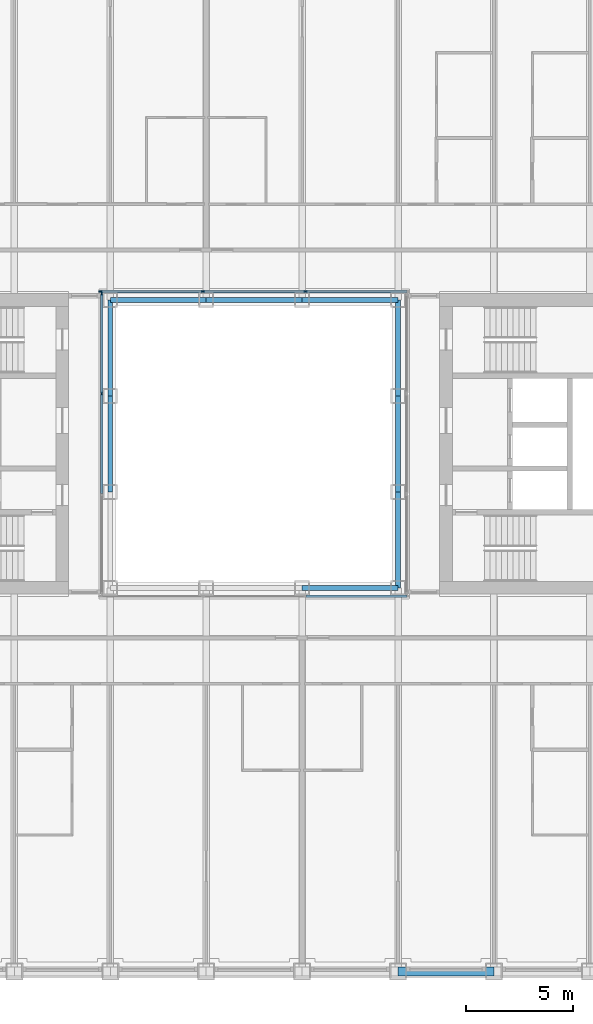
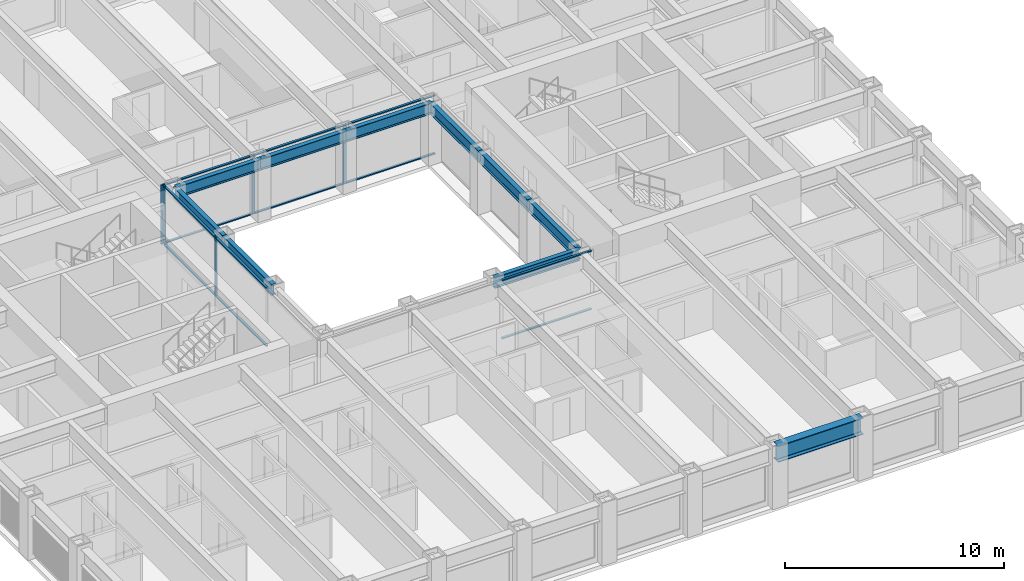
# One storey, part 4 of 21: 17 members, 10 beams, 3 elements without a shape of their own.
"""IFC4 building model written with IfcOpenShell, lengths in metres."""

from ifc_helpers import new_model, si_unit, direction, frame, origin, origin_2d, place, context, subcontext, project, spatial, rectangle, i_section, extrude, material, material_profile, profile_set, type_object, element, aggregate, save


model = new_model("IFC4")

# Units and contexts
model_context = context("Model", 3, precision=1e-05, world=origin(), true_north=direction((0.0, 1.0)))
body_context = subcontext(model_context, "Body", "Model", "MODEL_VIEW")
ifc_project = project(units=[si_unit("LENGTHUNIT", "METRE"), si_unit("AREAUNIT", "SQUARE_METRE"), si_unit("VOLUMEUNIT", "CUBIC_METRE"), si_unit("PLANEANGLEUNIT", "RADIAN"), si_unit("MASSUNIT", "GRAM", prefix="KILO")], contexts=[model_context])

# Site, building, storey
site_placement = place(None, origin())
site = spatial("IfcSite", under=ifc_project, at=site_placement, CompositionType="ELEMENT")
building_placement = place(site_placement, origin())
building = spatial("IfcBuilding", under=site, at=building_placement, Name="Msasa Ring Tower", CompositionType="ELEMENT")
storey_placement = place(building_placement, frame((0.0, 0.0, 79.0)))
storey = spatial("IfcBuildingStorey", under=building, at=storey_placement, Name="L20", CompositionType="ELEMENT", Elevation=79.0)

# Curtain wall, members
ifc_material_1 = material(Name="Aluminium curtain wall with clear glass", Category="aluminium")
curtain_wall_type = type_object("IfcCurtainWallType", Name="CW-W LIGHT WELL CURTAIN WALL", PredefinedType="NOTDEFINED", material=ifc_material_1)
curtain_wall_1_placement = place(storey_placement, origin())
curtain_wall_1 = element("IfcCurtainWall", 1, at=curtain_wall_1_placement, inside=storey, type_object=curtain_wall_type, Name="Light well curtain wall N L20", PredefinedType="NOTDEFINED")
ifc_material_2 = material(Name="Aluminium mullion", Category="aluminium")
ifc_material_profile_1 = material_profile(ifc_material_2, rectangle(XDim=0.06005859375, YDim=0.159912109375, at=origin_2d()), Name="AL 60x160")
ifc_profile_set_1 = profile_set([ifc_material_profile_1], Name="Aluminium mullion")
member_type_1 = type_object("IfcMemberType", Name="CW-W MULLION 60x160", PredefinedType="MULLION", material=ifc_profile_set_1)
member_1_placement = place(storey_placement, frame((-7.199951171875, 7.14990234375, 0.0), z_axis=(0.0, 0.0, 1.0), x_axis=(0.0, 1.0, 0.0)))
member_1 = element("IfcMember", 2, at=member_1_placement, type_object=member_type_1, Name="CW-W mullion 1", PredefinedType="MULLION", context=body_context, shape_type="SweptSolid", body=[
    extrude(rectangle(XDim=0.06005859375, YDim=0.159912109375, at=origin_2d()), origin(), (0.0, 0.0, 1.0), 3.300048828125),
])
member_2_placement = place(storey_placement, frame((-2.409912109375, 7.14990234375, 0.0), z_axis=(0.0, 0.0, 1.0), x_axis=(0.0, 1.0, 0.0)))
member_2 = element("IfcMember", 3, at=member_2_placement, type_object=member_type_1, Name="CW-W mullion 2", PredefinedType="MULLION", context=body_context, shape_type="SweptSolid", body=[
    extrude(rectangle(XDim=0.06005859375, YDim=0.159912109375, at=origin_2d()), origin(), (0.0, 0.0, 1.0), 3.300048828125),
])
member_3_placement = place(storey_placement, frame((2.409912109375, 7.14990234375, 0.0), z_axis=(0.0, 0.0, 1.0), x_axis=(0.0, 1.0, 0.0)))
member_3 = element("IfcMember", 4, at=member_3_placement, type_object=member_type_1, Name="CW-W mullion 3", PredefinedType="MULLION", context=body_context, shape_type="SweptSolid", body=[
    extrude(rectangle(XDim=0.06005859375, YDim=0.159912109375, at=origin_2d()), origin(), (0.0, 0.0, 1.0), 3.300048828125),
])

curtain_wall_2_placement = place(storey_placement, origin())
curtain_wall_2 = element("IfcCurtainWall", 5, at=curtain_wall_2_placement, inside=storey, type_object=curtain_wall_type, Name="Light well curtain wall W L20", PredefinedType="NOTDEFINED")
member_4_placement = place(storey_placement, frame((-7.14990234375, 2.356689453125, 0.0), z_axis=(0.0, 0.0, 1.0), x_axis=(-1.0, 0.0, 0.0)))
member_4 = element("IfcMember", 6, at=member_4_placement, type_object=member_type_1, Name="CW-W mullion 3", PredefinedType="MULLION", context=body_context, shape_type="SweptSolid", body=[
    extrude(rectangle(XDim=0.06005859375, YDim=0.159912109375, at=origin_2d()), origin(), (0.0, 0.0, 1.0), 3.300048828125),
])
member_5_placement = place(storey_placement, frame((-7.14990234375, 7.0400390625, 0.0), z_axis=(0.0, 0.0, 1.0), x_axis=(-1.0, 0.0, 0.0)))
member_5 = element("IfcMember", 7, at=member_5_placement, type_object=member_type_1, Name="CW-W mullion 4", PredefinedType="MULLION", context=body_context, shape_type="SweptSolid", body=[
    extrude(rectangle(XDim=0.06005859375, YDim=0.159912109375, at=origin_2d()), origin(), (0.0, 0.0, 1.0), 3.300048828125),
])

# Member
ifc_material_3 = material(Name="Aluminium transom", Category="aluminium")
ifc_material_profile_2 = material_profile(ifc_material_3, rectangle(XDim=0.1201171875, YDim=0.06005859375, at=origin_2d()), Name="AL 60x120")
ifc_profile_set_2 = profile_set([ifc_material_profile_2], Name="Aluminium transom")
member_type_2 = type_object("IfcMemberType", Name="CW-W TRANSOM 60x120", PredefinedType="USERDEFINED", material=ifc_profile_set_2)
member_6_placement = place(storey_placement, frame((-7.169921875, 7.14990234375, 0.030029296875), z_axis=(1.0, 0.0, 0.0), x_axis=(0.0, 1.0, 0.0)))
member_6 = element("IfcMember", 8, at=member_6_placement, type_object=member_type_2, Name="CW-W transom 1.1", ObjectType="TRANSOM", PredefinedType="USERDEFINED", context=body_context, shape_type="SweptSolid", body=[
    extrude(rectangle(XDim=0.1201171875, YDim=0.06005859375, at=origin_2d()), origin(), (0.0, 0.0, 1.0), 4.72998046875),
])

member_7_placement = place(storey_placement, frame((-7.169921875, 7.14990234375, 3.27001953125), z_axis=(1.0, 0.0, 0.0), x_axis=(0.0, 1.0, 0.0)))
member_7 = element("IfcMember", 9, at=member_7_placement, type_object=member_type_2, Name="CW-W transom 1.2", ObjectType="TRANSOM", PredefinedType="USERDEFINED", context=body_context, shape_type="SweptSolid", body=[
    extrude(rectangle(XDim=0.1201171875, YDim=0.06005859375, at=origin_2d()), origin(), (0.0, 0.0, 1.0), 4.72998046875),
])

member_8_placement = place(storey_placement, frame((-2.3798828125, 7.14990234375, 0.030029296875), z_axis=(1.0, 0.0, 0.0), x_axis=(0.0, 1.0, 0.0)))
member_8 = element("IfcMember", 10, at=member_8_placement, type_object=member_type_2, Name="CW-W transom 2.1", ObjectType="TRANSOM", PredefinedType="USERDEFINED", context=body_context, shape_type="SweptSolid", body=[
    extrude(rectangle(XDim=0.1201171875, YDim=0.06005859375, at=origin_2d()), origin(), (0.0, 0.0, 1.0), 4.759765625),
])

member_9_placement = place(storey_placement, frame((-2.3798828125, 7.14990234375, 3.27001953125), z_axis=(1.0, 0.0, 0.0), x_axis=(0.0, 1.0, 0.0)))
member_9 = element("IfcMember", 11, at=member_9_placement, type_object=member_type_2, Name="CW-W transom 2.2", ObjectType="TRANSOM", PredefinedType="USERDEFINED", context=body_context, shape_type="SweptSolid", body=[
    extrude(rectangle(XDim=0.1201171875, YDim=0.06005859375, at=origin_2d()), origin(), (0.0, 0.0, 1.0), 4.759765625),
])

member_10_placement = place(storey_placement, frame((2.43994140625, 7.14990234375, 0.030029296875), z_axis=(1.0, 0.0, 0.0), x_axis=(0.0, 1.0, 0.0)))
member_10 = element("IfcMember", 12, at=member_10_placement, type_object=member_type_2, Name="CW-W transom 3.1", ObjectType="TRANSOM", PredefinedType="USERDEFINED", context=body_context, shape_type="SweptSolid", body=[
    extrude(rectangle(XDim=0.1201171875, YDim=0.06005859375, at=origin_2d()), origin(), (0.0, 0.0, 1.0), 4.72998046875),
])

member_11_placement = place(storey_placement, frame((2.43994140625, 7.14990234375, 3.27001953125), z_axis=(1.0, 0.0, 0.0), x_axis=(0.0, 1.0, 0.0)))
member_11 = element("IfcMember", 13, at=member_11_placement, type_object=member_type_2, Name="CW-W transom 3.2", ObjectType="TRANSOM", PredefinedType="USERDEFINED", context=body_context, shape_type="SweptSolid", body=[
    extrude(rectangle(XDim=0.1201171875, YDim=0.06005859375, at=origin_2d()), origin(), (0.0, 0.0, 1.0), 4.72998046875),
])

aggregate(curtain_wall_1, [member_1, member_2, member_3, member_6, member_7, member_8, member_9, member_10, member_11])

# Curtain wall, members
curtain_wall_3_placement = place(storey_placement, origin())
curtain_wall_3 = element("IfcCurtainWall", 14, at=curtain_wall_3_placement, inside=storey, type_object=curtain_wall_type, Name="Light well curtain wall S L20", PredefinedType="NOTDEFINED")
member_12_placement = place(storey_placement, frame((2.43994140625, -7.14990234375, 0.030029296875), z_axis=(1.0, 0.0, 0.0), x_axis=(0.0, 1.0, 0.0)))
member_12 = element("IfcMember", 15, at=member_12_placement, type_object=member_type_2, Name="CW-W transom 3.1", ObjectType="TRANSOM", PredefinedType="USERDEFINED", context=body_context, shape_type="SweptSolid", body=[
    extrude(rectangle(XDim=0.1201171875, YDim=0.06005859375, at=origin_2d()), origin(), (0.0, 0.0, 1.0), 4.72998046875),
])
member_13_placement = place(storey_placement, frame((2.43994140625, -7.14990234375, 3.27001953125), z_axis=(1.0, 0.0, 0.0), x_axis=(0.0, 1.0, 0.0)))
member_13 = element("IfcMember", 16, at=member_13_placement, type_object=member_type_2, Name="CW-W transom 3.2", ObjectType="TRANSOM", PredefinedType="USERDEFINED", context=body_context, shape_type="SweptSolid", body=[
    extrude(rectangle(XDim=0.1201171875, YDim=0.06005859375, at=origin_2d()), origin(), (0.0, 0.0, 1.0), 4.72998046875),
])
aggregate(curtain_wall_3, [member_12, member_13])

# Member
member_14_placement = place(storey_placement, frame((-7.14990234375, -2.32666015625, 0.030029296875), z_axis=(0.0, 1.0, 0.0), x_axis=(-1.0, 0.0, 0.0)))
member_14 = element("IfcMember", 17, at=member_14_placement, type_object=member_type_2, Name="CW-W transom 2.1", ObjectType="TRANSOM", PredefinedType="USERDEFINED", context=body_context, shape_type="SweptSolid", body=[
    extrude(rectangle(XDim=0.1201171875, YDim=0.06005859375, at=origin_2d()), origin(), (0.0, 0.0, 1.0), 4.6533203125),
])

member_15_placement = place(storey_placement, frame((-7.14990234375, -2.32666015625, 3.27001953125), z_axis=(0.0, 1.0, 0.0), x_axis=(-1.0, 0.0, 0.0)))
member_15 = element("IfcMember", 18, at=member_15_placement, type_object=member_type_2, Name="CW-W transom 2.2", ObjectType="TRANSOM", PredefinedType="USERDEFINED", context=body_context, shape_type="SweptSolid", body=[
    extrude(rectangle(XDim=0.1201171875, YDim=0.06005859375, at=origin_2d()), origin(), (0.0, 0.0, 1.0), 4.6533203125),
])

member_16_placement = place(storey_placement, frame((-7.14990234375, 2.38671875, 0.030029296875), z_axis=(0.0, 1.0, 0.0), x_axis=(-1.0, 0.0, 0.0)))
member_16 = element("IfcMember", 19, at=member_16_placement, type_object=member_type_2, Name="CW-W transom 3.1", ObjectType="TRANSOM", PredefinedType="USERDEFINED", context=body_context, shape_type="SweptSolid", body=[
    extrude(rectangle(XDim=0.1201171875, YDim=0.06005859375, at=origin_2d()), origin(), (0.0, 0.0, 1.0), 4.623291015625),
])

member_17_placement = place(storey_placement, frame((-7.14990234375, 2.38671875, 3.27001953125), z_axis=(0.0, 1.0, 0.0), x_axis=(-1.0, 0.0, 0.0)))
member_17 = element("IfcMember", 20, at=member_17_placement, type_object=member_type_2, Name="CW-W transom 3.2", ObjectType="TRANSOM", PredefinedType="USERDEFINED", context=body_context, shape_type="SweptSolid", body=[
    extrude(rectangle(XDim=0.1201171875, YDim=0.06005859375, at=origin_2d()), origin(), (0.0, 0.0, 1.0), 4.623291015625),
])

aggregate(curtain_wall_2, [member_4, member_5, member_14, member_15, member_16, member_17])

# Beams
ifc_material_4 = material(Name="Steel S355", Category="steel")
ifc_material_profile_3 = material_profile(ifc_material_4, i_section(OverallWidth=0.230224609375, OverallDepth=0.6171875, WebThickness=0.01318359375, FlangeThickness=0.022216796875, FilletRadius=0.0126953125, at=origin_2d()), Name="UB 610x229x140")
ifc_profile_set_3 = profile_set([ifc_material_profile_3], Name="Steel S355")
beam_type_1 = type_object("IfcBeamType", Name="RB1 UB 610x229x140", PredefinedType="BEAM", material=ifc_profile_set_3)
for number, where, z_axis, x_axis, name in (
    (21, (2.25, -6.75, 2.991455078125), (1.0, 0.0, 0.0), (0.0, 1.0, 0.0), "Inner ring beam IR+2.25-6.75 under L21"),
    (22, (6.75, -6.75, 2.991455078125), (0.0, 1.0, 0.0), (-1.0, 0.0, 0.0), "Inner ring beam IR+6.75-6.75 under L21"),
    (23, (6.75, -2.25, 2.991455078125), (0.0, 1.0, 0.0), (-1.0, 0.0, 0.0), "Inner ring beam IR+6.75-2.25 under L21"),
    (24, (6.75, 2.25, 2.991455078125), (0.0, 1.0, 0.0), (-1.0, 0.0, 0.0), "Inner ring beam IR+6.75+2.25 under L21"),
    (25, (6.75, 6.75, 2.991455078125), (-1.0, 0.0, 0.0), (0.0, -1.0, 0.0), "Inner ring beam IR+6.75+6.75 under L21"),
    (26, (2.25, 6.75, 2.991455078125), (-1.0, 0.0, 0.0), (0.0, -1.0, 0.0), "Inner ring beam IR+2.25+6.75 under L21"),
    (27, (-2.25, 6.75, 2.991455078125), (-1.0, 0.0, 0.0), (0.0, -1.0, 0.0), "Inner ring beam IR-2.25+6.75 under L21"),
    (28, (-6.75, 6.75, 2.991455078125), (0.0, -1.0, 0.0), (1.0, 0.0, 0.0), "Inner ring beam IR-6.75+6.75 under L21"),
    (29, (-6.75, 2.25, 2.991455078125), (0.0, -1.0, 0.0), (1.0, 0.0, 0.0), "Inner ring beam IR-6.75+2.25 under L21"),
):
    element("IfcBeam", number, at=place(storey_placement, frame(where, z_axis=z_axis, x_axis=x_axis)), inside=storey, type_object=beam_type_1, Name=name, PredefinedType="BEAM", context=body_context, shape_type="SweptSolid", body=[
        extrude(i_section(OverallWidth=0.230224609375, OverallDepth=0.6171875, WebThickness=0.01318359375, FlangeThickness=0.022216796875, FilletRadius=0.0126953125, at=origin_2d()), origin(), (0.0, 0.0, 1.0), 4.5),
    ])
ifc_material_5 = material(Name="Steel S355", Category="steel")
ifc_material_profile_4 = material_profile(ifc_material_5, i_section(OverallWidth=0.42041015625, OverallDepth=0.9208984375, WebThickness=0.021484375, FlangeThickness=0.03662109375, FilletRadius=0.024169921875, at=origin_2d()), Name="UB 914x419x388")
ifc_profile_set_4 = profile_set([ifc_material_profile_4], Name="Steel S355")
beam_type_2 = type_object("IfcBeamType", Name="SB1 UB 914x419x388", PredefinedType="SPANDREL", material=ifc_profile_set_4)
beam_placement = place(storey_placement, frame((6.75, -24.75, 2.839599609375), z_axis=(1.0, 0.0, 0.0), x_axis=(0.0, 1.0, 0.0)))
element("IfcBeam", 30, at=beam_placement, inside=storey, type_object=beam_type_2, Name="Spandrel S+6.75 to S+11.25 under L21", PredefinedType="SPANDREL", context=body_context, shape_type="SweptSolid", body=[
    extrude(i_section(OverallWidth=0.42041015625, OverallDepth=0.9208984375, WebThickness=0.021484375, FlangeThickness=0.03662109375, FilletRadius=0.024169921875, at=origin_2d()), origin(), (0.0, 0.0, 1.0), 4.5),
])

save(model, "model.ifc")
